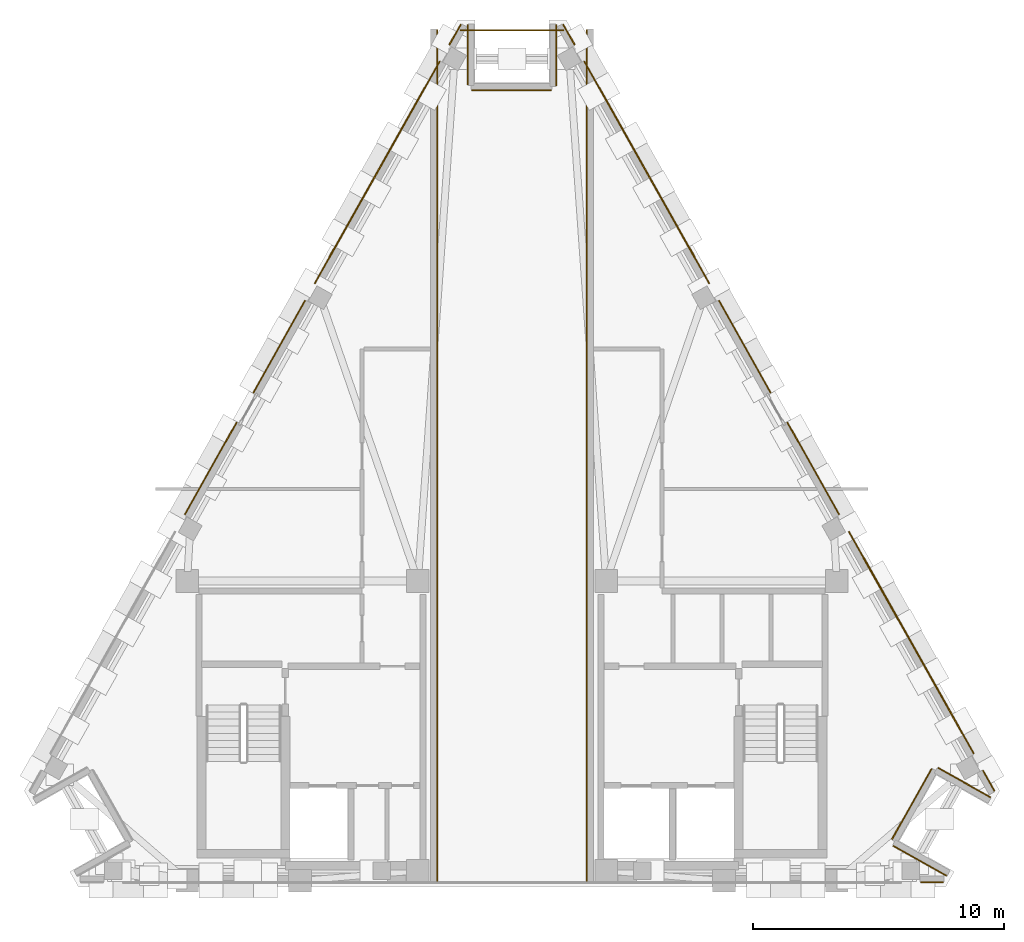
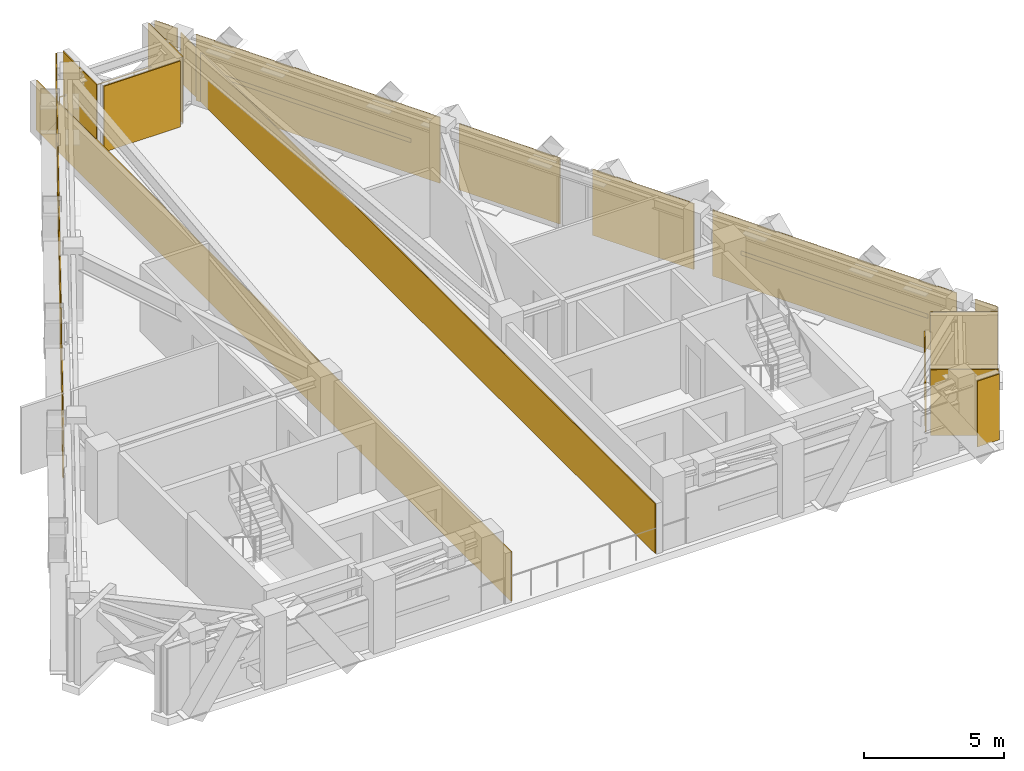
# One storey, part 7 of 7: 19 coverings, 3 shading devices, 1 railing.
"""IFC4 building model written with IfcOpenShell, lengths in metres."""

from ifc_helpers import new_model, si_unit, direction, frame, origin, origin_2d, place, context, subcontext, project, spatial, polyline, rectangle, circle, outline, extrude, material, layer, layer_set, material_profile, profile_set, type_object, element, save


model = new_model("IFC4")

# Units and contexts
model_context = context("Model", 3, precision=1e-05, world=origin(), true_north=direction((0.0, 1.0)))
body_context = subcontext(model_context, "Body", "Model", "MODEL_VIEW")
ifc_project = project(units=[si_unit("LENGTHUNIT", "METRE"), si_unit("AREAUNIT", "SQUARE_METRE"), si_unit("VOLUMEUNIT", "CUBIC_METRE"), si_unit("PLANEANGLEUNIT", "RADIAN"), si_unit("MASSUNIT", "GRAM", prefix="KILO")], contexts=[model_context])

# Site, building, storey
site_placement = place(None, origin())
site = spatial("IfcSite", under=ifc_project, at=site_placement, CompositionType="ELEMENT")
building_placement = place(site_placement, origin())
building = spatial("IfcBuilding", under=site, at=building_placement, Name="Quenlor Broadcast Tower", CompositionType="ELEMENT")
storey_placement = place(building_placement, frame((0.0, 0.0, 270.89990234375)))
storey = spatial("IfcBuildingStorey", under=building, at=storey_placement, Name="L75", CompositionType="ELEMENT", Elevation=270.89990234375)

# Coverings
ifc_material_1 = material(Name="Architectural Terracotta Ceramic", Category="masonry")
ifc_layer = layer(ifc_material_1, 0.044921875)
ifc_layer_set = layer_set([ifc_layer], Name="Fluted Terracotta Rainscreen Cladding Panel")
covering_type = type_object("IfcCoveringType", Name="Fluted Terracotta Rainscreen Cladding Panel", PredefinedType="CLADDING", material=ifc_layer_set)
covering_1_placement = place(storey_placement, frame((0.0, 0.0, 0.02001953125)))
element("IfcCovering", 1, at=covering_1_placement, inside=storey, type_object=covering_type, Name="L75 Terracotta Rainscreen Cladding L75-SHD-SS0", PredefinedType="CLADDING", context=body_context, shape_type="SweptSolid", body=[
    extrude(outline(polyline([(17.18994140625, -16.787109375), (16.28271484375, -16.787109375), (16.28271484375, -16.83203125), (17.18994140625, -16.83203125), (17.18994140625, -16.787109375)])), origin(), (0.0, 0.0, 1.0), 2.880126953125),
])
covering_2_placement = place(storey_placement, frame((0.0, 0.0, 0.02001953125)))
element("IfcCovering", 2, at=covering_2_placement, inside=storey, type_object=covering_type, Name="L75 Terracotta Rainscreen Cladding L75-SHD-NES0", PredefinedType="CLADDING", context=body_context, shape_type="SweptSolid", body=[
    extrude(outline(polyline([(2.018310546875, 17.377197265625), (2.476806640625, 16.5625), (2.51611328125, 16.58447265625), (2.0576171875, 17.399169921875), (2.018310546875, 17.377197265625)])), origin(), (0.0, 0.0, 1.0), 2.880126953125),
])
covering_3_placement = place(storey_placement, frame((0.0, 0.0, 0.02001953125)))
element("IfcCovering", 3, at=covering_3_placement, inside=storey, type_object=covering_type, Name="L75 Terracotta Rainscreen Cladding L75-SHD-NES1", PredefinedType="CLADDING", context=body_context, shape_type="SweptSolid", body=[
    extrude(outline(polyline([(18.751708984375, -12.37109375), (19.210205078125, -13.185791015625), (19.24951171875, -13.163818359375), (18.791015625, -12.34912109375), (18.751708984375, -12.37109375)])), origin(), (0.0, 0.0, 1.0), 2.880126953125),
])
covering_4_placement = place(storey_placement, frame((0.0, 0.0, 0.02001953125)))
element("IfcCovering", 4, at=covering_4_placement, inside=storey, type_object=covering_type, Name="L75 Terracotta Rainscreen Cladding L75-EW-NEA", PredefinedType="CLADDING", context=body_context, shape_type="SweptSolid", body=[
    extrude(outline(polyline([(2.86279296875, 15.896240234375), (7.84228515625, 7.044189453125), (7.881591796875, 7.066162109375), (2.902099609375, 15.918212890625), (2.86279296875, 15.896240234375)])), origin(), (0.0, 0.0, 1.0), 2.880126953125),
])
covering_5_placement = place(storey_placement, frame((0.0, 0.0, 0.02001953125)))
element("IfcCovering", 5, at=covering_5_placement, inside=storey, type_object=covering_type, Name="L75 Terracotta Rainscreen Cladding L75-EW-NEC", PredefinedType="CLADDING", context=body_context, shape_type="SweptSolid", body=[
    extrude(outline(polyline([(13.40380859375, -2.843017578125), (18.383056640625, -11.695068359375), (18.42236328125, -11.673095703125), (13.443115234375, -2.821044921875), (13.40380859375, -2.843017578125)])), origin(), (0.0, 0.0, 1.0), 2.880126953125),
])
covering_6_placement = place(storey_placement, frame((0.0, 0.0, 0.02001953125)))
element("IfcCovering", 6, at=covering_6_placement, inside=storey, type_object=covering_type, Name="L75 Terracotta Rainscreen Cladding L75-NE-SP1", PredefinedType="CLADDING", context=body_context, shape_type="SweptSolid", body=[
    extrude(outline(polyline([(8.22705078125, 6.35986328125), (10.292724609375, 2.6875), (10.33203125, 2.709716796875), (8.266357421875, 6.3818359375), (8.22705078125, 6.35986328125)])), origin(), (0.0, 0.0, 1.0), 2.880126953125),
])
covering_7_placement = place(storey_placement, frame((0.0, 0.0, 0.02001953125)))
element("IfcCovering", 7, at=covering_7_placement, inside=storey, type_object=covering_type, Name="L75 Terracotta Rainscreen Cladding L75-NE-SP2", PredefinedType="CLADDING", context=body_context, shape_type="SweptSolid", body=[
    extrude(outline(polyline([(10.953125, 1.513427734375), (13.018798828125, -2.15869140625), (13.05810546875, -2.13671875), (10.992431640625, 1.535400390625), (10.953125, 1.513427734375)])), origin(), (0.0, 0.0, 1.0), 2.880126953125),
])
covering_8_placement = place(storey_placement, frame((0.0, 0.0, 0.02001953125)))
element("IfcCovering", 8, at=covering_8_placement, inside=storey, type_object=covering_type, Name="L75 Terracotta Rainscreen Cladding L75-SHD-NWS1", PredefinedType="CLADDING", context=body_context, shape_type="SweptSolid", body=[
    extrude(outline(polyline([(-2.476806640625, 16.5625), (-2.018310546875, 17.377197265625), (-2.0576171875, 17.399169921875), (-2.51611328125, 16.58447265625), (-2.476806640625, 16.5625)])), origin(), (0.0, 0.0, 1.0), 2.880126953125),
])
covering_9_placement = place(storey_placement, frame((0.0, 0.0, 0.02001953125)))
element("IfcCovering", 9, at=covering_9_placement, inside=storey, type_object=covering_type, Name="L75 Terracotta Rainscreen Cladding L75-EW-NWC", PredefinedType="CLADDING", context=body_context, shape_type="SweptSolid", body=[
    extrude(outline(polyline([(-7.84228515625, 7.044189453125), (-2.86279296875, 15.896240234375), (-2.902099609375, 15.918212890625), (-7.881591796875, 7.066162109375), (-7.84228515625, 7.044189453125)])), origin(), (0.0, 0.0, 1.0), 2.880126953125),
])
covering_10_placement = place(storey_placement, frame((0.0, 0.0, 0.02001953125)))
element("IfcCovering", 10, at=covering_10_placement, inside=storey, type_object=covering_type, Name="L75 Terracotta Rainscreen Cladding L75-NW-SP1", PredefinedType="CLADDING", context=body_context, shape_type="SweptSolid", body=[
    extrude(outline(polyline([(-13.018798828125, -2.15869140625), (-10.953125, 1.513427734375), (-10.992431640625, 1.535400390625), (-13.05810546875, -2.13671875), (-13.018798828125, -2.15869140625)])), origin(), (0.0, 0.0, 1.0), 2.880126953125),
])
covering_11_placement = place(storey_placement, frame((0.0, 0.0, 0.02001953125)))
element("IfcCovering", 11, at=covering_11_placement, inside=storey, type_object=covering_type, Name="L75 Terracotta Rainscreen Cladding L75-NW-SP2", PredefinedType="CLADDING", context=body_context, shape_type="SweptSolid", body=[
    extrude(outline(polyline([(-10.292724609375, 2.6875), (-8.22705078125, 6.35986328125), (-8.266357421875, 6.3818359375), (-10.33203125, 2.709716796875), (-10.292724609375, 2.6875)])), origin(), (0.0, 0.0, 1.0), 2.880126953125),
])
covering_12_placement = place(storey_placement, frame((0.0, 0.0, 0.02001953125)))
element("IfcCovering", 12, at=covering_12_placement, inside=storey, type_object=covering_type, Name="L75 Terracotta Rainscreen Cladding L75-CNR-01", PredefinedType="CLADDING", context=body_context, shape_type="SweptSolid", body=[
    extrude(outline(polyline([(17.32666015625, -16.529541015625), (15.199951171875, -15.333251953125), (15.177978515625, -15.372314453125), (17.3046875, -16.568603515625), (17.32666015625, -16.529541015625)])), origin(), (0.0, 0.0, 1.0), 2.880126953125),
])
covering_13_placement = place(storey_placement, frame((0.0, 0.0, 0.02001953125)))
element("IfcCovering", 13, at=covering_13_placement, inside=storey, type_object=covering_type, Name="L75 Terracotta Rainscreen Cladding L75-CNR-02", PredefinedType="CLADDING", context=body_context, shape_type="SweptSolid", body=[
    extrude(outline(polyline([(15.16552734375, -15.10498046875), (16.7421875, -12.302001953125), (16.702880859375, -12.280029296875), (15.126220703125, -15.0830078125), (15.16552734375, -15.10498046875)])), origin(), (0.0, 0.0, 1.0), 2.1640625),
])
covering_14_placement = place(storey_placement, frame((0.0, 0.0, 0.02001953125)))
element("IfcCovering", 14, at=covering_14_placement, inside=storey, type_object=covering_type, Name="L75 Terracotta Rainscreen Cladding L75-CNR-03", PredefinedType="CLADDING", context=body_context, shape_type="SweptSolid", body=[
    extrude(outline(polyline([(16.970458984375, -12.267578125), (19.062255859375, -13.444091796875), (19.084228515625, -13.405029296875), (16.992431640625, -12.228271484375), (16.970458984375, -12.267578125)])), origin(), (0.0, 0.0, 1.0), 2.880126953125),
])
covering_15_placement = place(storey_placement, frame((0.0, 0.0, 0.02001953125)))
element("IfcCovering", 15, at=covering_15_placement, inside=storey, type_object=covering_type, Name="L75 Terracotta Rainscreen Cladding L75-CNR-07", PredefinedType="CLADDING", context=body_context, shape_type="SweptSolid", body=[
    extrude(outline(polyline([(1.74072265625, 17.3701171875), (1.74072265625, 14.929931640625), (1.785888671875, 14.929931640625), (1.785888671875, 17.3701171875), (1.74072265625, 17.3701171875)])), origin(), (0.0, 0.0, 1.0), 2.880126953125),
])
covering_16_placement = place(storey_placement, frame((0.0, 0.0, 0.02001953125)))
element("IfcCovering", 16, at=covering_16_placement, inside=storey, type_object=covering_type, Name="L75 Terracotta Rainscreen Cladding L75-CNR-08", PredefinedType="CLADDING", context=body_context, shape_type="SweptSolid", body=[
    extrude(outline(polyline([(1.558837890625, 14.7880859375), (-1.598876953125, 14.7880859375), (-1.598876953125, 14.742919921875), (1.558837890625, 14.742919921875), (1.558837890625, 14.7880859375)])), origin(), (0.0, 0.0, 1.0), 2.880126953125),
])
covering_17_placement = place(storey_placement, frame((0.0, 0.0, 0.02001953125)))
element("IfcCovering", 17, at=covering_17_placement, inside=storey, type_object=covering_type, Name="L75 Terracotta Rainscreen Cladding L75-CNR-09", PredefinedType="CLADDING", context=body_context, shape_type="SweptSolid", body=[
    extrude(outline(polyline([(-1.74072265625, 14.969970703125), (-1.74072265625, 17.3701171875), (-1.785888671875, 17.3701171875), (-1.785888671875, 14.969970703125), (-1.74072265625, 14.969970703125)])), origin(), (0.0, 0.0, 1.0), 2.880126953125),
])
covering_18_placement = place(storey_placement, frame((0.0, 0.0, 0.02001953125)))
element("IfcCovering", 18, at=covering_18_placement, inside=storey, type_object=covering_type, Name="L75 Terracotta Rainscreen Cladding L75-WP-CHKW", PredefinedType="CLADDING", context=body_context, shape_type="SweptSolid", body=[
    extrude(outline(polyline([(-3.008056640625, 17.169921875), (-3.008056640625, -16.820068359375), (-2.962890625, -16.820068359375), (-2.962890625, 17.169921875), (-3.008056640625, 17.169921875)])), origin(), (0.0, 0.0, 1.0), 2.1640625),
])
covering_19_placement = place(storey_placement, frame((0.0, 0.0, 0.02001953125)))
element("IfcCovering", 19, at=covering_19_placement, inside=storey, type_object=covering_type, Name="L75 Terracotta Rainscreen Cladding L75-WP-CHKE", PredefinedType="CLADDING", context=body_context, shape_type="SweptSolid", body=[
    extrude(outline(polyline([(3.008056640625, -16.820068359375), (3.008056640625, 17.169921875), (2.962890625, 17.169921875), (2.962890625, -16.820068359375), (3.008056640625, -16.820068359375)])), origin(), (0.0, 0.0, 1.0), 2.1640625),
])

# Railing
ifc_material_2 = material(Name="Anodised Aluminium", Category="aluminium")
railing_type = type_object("IfcRailingType", Name="Laminated Glass and Steel Perimeter Balustrade 1150", PredefinedType="BALUSTRADE", material=ifc_material_2)
railing_placement = place(storey_placement, frame((-2.050048828125, 17.14990234375, 0.0)))
element("IfcRailing", 20, at=railing_placement, inside=storey, type_object=railing_type, Name="L75 Wind Portal North Threshold Balustrade", PredefinedType="BALUSTRADE", context=body_context, shape_type="SweptSolid", body=[
    extrude(circle(Radius=0.02392578125, at=origin_2d()), frame((0.0, 0.0, 1.1259765625), z_axis=(1.0, 0.0, 0.0), x_axis=(0.0, 1.0, 0.0)), (0.0, 0.0, 1.0), 4.10009765625),
    extrude(circle(Radius=0.02099609375, at=origin_2d()), origin(), (0.0, 0.0, 1.0), 1.101806640625),
    extrude(circle(Radius=0.02099609375, at=origin_2d()), frame((1.02490234375, 0.0, 0.0)), (0.0, 0.0, 1.0), 1.101806640625),
    extrude(circle(Radius=0.02099609375, at=origin_2d()), frame((2.050048828125, 0.0, 0.0)), (0.0, 0.0, 1.0), 1.101806640625),
    extrude(circle(Radius=0.02099609375, at=origin_2d()), frame((3.0751953125, 0.0, 0.0)), (0.0, 0.0, 1.0), 1.101806640625),
    extrude(circle(Radius=0.02099609375, at=origin_2d()), frame((4.10009765625, 0.0, 0.0)), (0.0, 0.0, 1.0), 1.101806640625),
])

# Shading devices
ifc_material_3 = material(Name="Architectural Terracotta Ceramic", Category="masonry")
ifc_material_profile = material_profile(ifc_material_3, rectangle(XDim=0.06005859375, YDim=0.179931640625, at=origin_2d()))
ifc_profile_set = profile_set([ifc_material_profile], Name="Architectural Terracotta Ceramic LVR60x180")
shading_device_type = type_object("IfcShadingDeviceType", Name="Terracotta Acoustic Plant Weather Louvre 180", PredefinedType="JALOUSIE", material=ifc_profile_set)
shading_device_1_placement = place(storey_placement, frame((3.471923828125, 14.866455078125, 1.460205078125), z_axis=(0.490262732485, -0.871574697393, 0.0), x_axis=(0.871574697393, 0.490262732485, 0.0)))
element("IfcShadingDevice", 21, at=shading_device_1_placement, inside=storey, type_object=shading_device_type, Name="L75 Plant Weather Louvre L75-LV-NEA", PredefinedType="JALOUSIE", context=body_context, shape_type="SweptSolid", body=[
    extrude(rectangle(XDim=0.06005859375, YDim=0.179931640625, at=origin_2d()), origin(), (0.0, 0.0, 1.0), 7.764404296875),
])
shading_device_2_placement = place(storey_placement, frame((14.0126953125, -3.872802734375, 1.460205078125), z_axis=(0.490276168503, -0.871567139467, 0.0), x_axis=(0.871567139467, 0.490276168503, 0.0)))
element("IfcShadingDevice", 22, at=shading_device_2_placement, inside=storey, type_object=shading_device_type, Name="L75 Plant Weather Louvre L75-LV-NEC", PredefinedType="JALOUSIE", context=body_context, shape_type="SweptSolid", body=[
    extrude(rectangle(XDim=0.06005859375, YDim=0.179931640625, at=origin_2d()), origin(), (0.0, 0.0, 1.0), 7.76416015625),
])
shading_device_3_placement = place(storey_placement, frame((-7.278564453125, 8.09912109375, 1.460205078125), z_axis=(0.490262732485, 0.871574697393, 0.0), x_axis=(-0.871574697393, 0.490262732485, 0.0)))
element("IfcShadingDevice", 23, at=shading_device_3_placement, inside=storey, type_object=shading_device_type, Name="L75 Plant Weather Louvre L75-LV-NWC", PredefinedType="JALOUSIE", context=body_context, shape_type="SweptSolid", body=[
    extrude(rectangle(XDim=0.06005859375, YDim=0.179931640625, at=origin_2d()), origin(), (0.0, 0.0, 1.0), 7.764404296875),
])

save(model, "model.ifc")
